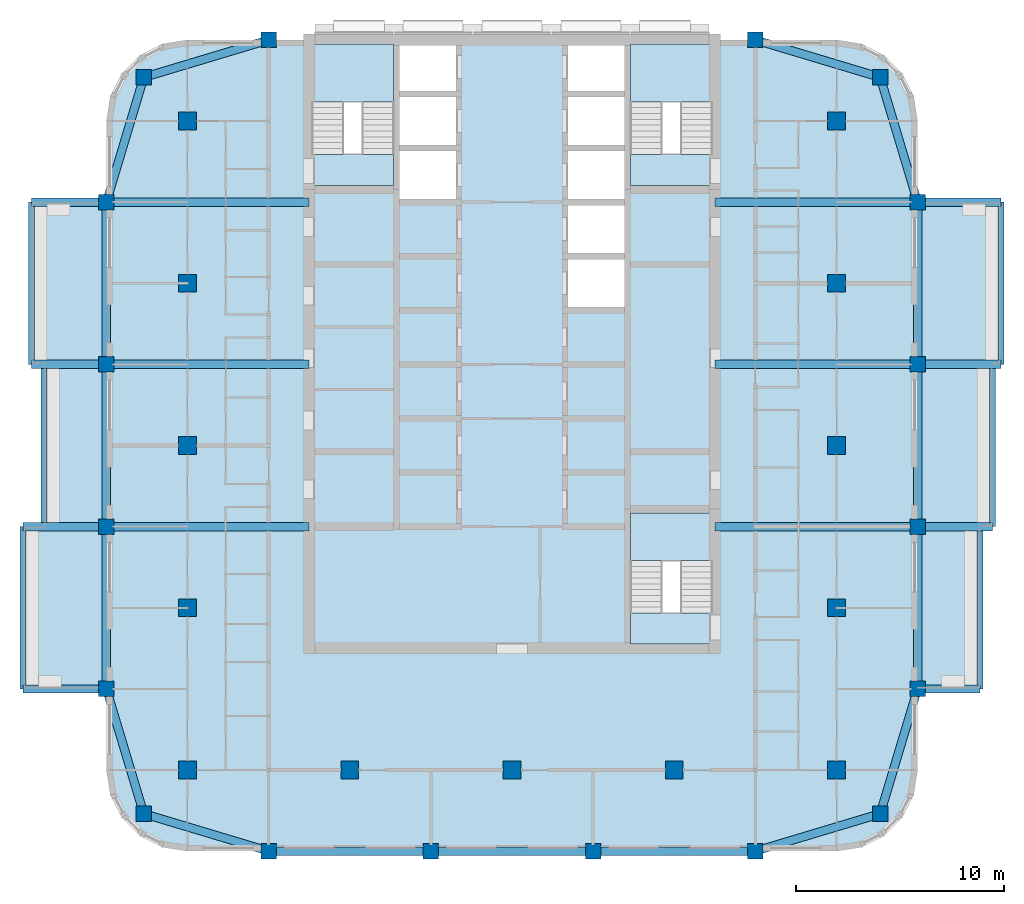
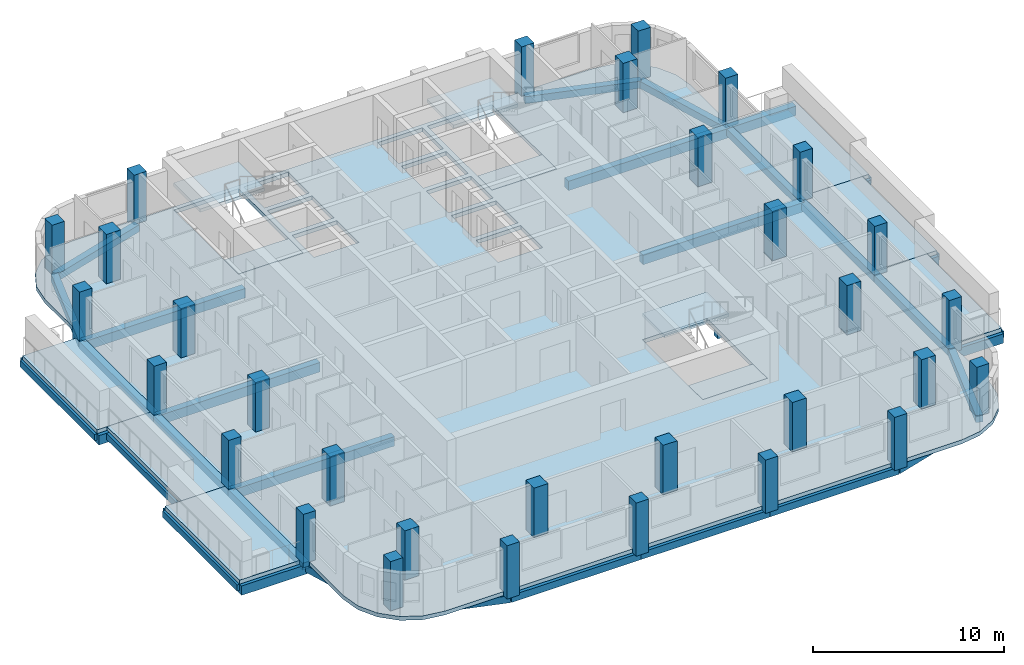
# One storey, part 1 of 13: 37 beams, 31 columns, 13 slabs, 3 elements without a shape of their own.
"""IFC4 building model written with IfcOpenShell, lengths in metres."""

from ifc_helpers import new_model, si_unit, direction, frame, origin, origin_2d, place, context, subcontext, project, spatial, polyline, rectangle, outline, extrude, material, layer, layer_set, material_profile, profile_set, type_object, element, aggregate, save


model = new_model("IFC4")

# Units and contexts
model_context = context("Model", 3, precision=1e-05, world=origin(), true_north=direction((0.0, 1.0)))
body_context = subcontext(model_context, "Body", "Model", "MODEL_VIEW")
ifc_project = project(units=[si_unit("LENGTHUNIT", "METRE"), si_unit("AREAUNIT", "SQUARE_METRE"), si_unit("VOLUMEUNIT", "CUBIC_METRE"), si_unit("PLANEANGLEUNIT", "RADIAN"), si_unit("MASSUNIT", "GRAM", prefix="KILO")], contexts=[model_context])

# Site, building, storey
site_placement = place(None, origin())
site = spatial("IfcSite", under=ifc_project, at=site_placement, CompositionType="ELEMENT")
building_placement = place(site_placement, origin())
building = spatial("IfcBuilding", under=site, at=building_placement, Name="Ludao Terraces", CompositionType="ELEMENT")
storey_placement = place(building_placement, frame((0.0, 0.0, 186.0)))
storey = spatial("IfcBuildingStorey", under=building, at=storey_placement, Name="L50", CompositionType="ELEMENT", Elevation=186.0)

# Columns
ifc_material_1 = material(Name="Concrete C45", Category="concrete")
ifc_material_profile_1 = material_profile(ifc_material_1, rectangle(XDim=0.75, YDim=0.75, at=origin_2d()), Name="750 X 750")
ifc_profile_set_1 = profile_set([ifc_material_profile_1], Name="Concrete C45")
column_type_1 = type_object("IfcColumnType", Name="RC column 750x750 C45", PredefinedType="COLUMN", material=ifc_profile_set_1)
for number, where, z_axis, x_axis, name in (
    (1, (67.300048828125, 47.300048828125, -0.25), (0.0, 0.0, 1.0), (1.0, 0.0, 0.0), "Column L50 C0057x0057"),
    (2, (102.699951171875, 47.300048828125, -0.25), (0.0, 0.0, 1.0), (1.0, 0.0, 0.0), "Column L50 C0411x0057"),
    (3, (67.300048828125, 82.699951171875, -0.25), (0.0, 0.0, 1.0), (1.0, 0.0, 0.0), "Column L50 C0057x0411"),
    (4, (102.699951171875, 82.699951171875, -0.25), (0.0, 0.0, 1.0), (1.0, 0.0, 0.0), "Column L50 C0411x0411"),
    (5, (65.5, 53.300048828125, -0.25), (0.0, 0.0, 1.0), (1.0, 0.0, 0.0), "Column L50 W0039x0117"),
    (6, (104.5, 53.300048828125, -0.25), (0.0, 0.0, 1.0), (1.0, 0.0, 0.0), "Column L50 W0429x0117"),
    (7, (73.300048828125, 45.5, -0.25), (0.0, 0.0, 1.0), (1.0, 0.0, 0.0), "Column L50 W0117x0039"),
    (8, (73.300048828125, 84.5, -0.25), (0.0, 0.0, 1.0), (1.0, 0.0, 0.0), "Column L50 W0117x0429"),
    (9, (65.5, 61.10009765625, -0.25), (0.0, 0.0, 1.0), (1.0, 0.0, 0.0), "Column L50 W0039x0195"),
    (10, (104.5, 61.10009765625, -0.25), (0.0, 0.0, 1.0), (1.0, 0.0, 0.0), "Column L50 W0429x0195"),
    (11, (81.10009765625, 45.5, -0.25), (0.0, 0.0, 1.0), (1.0, 0.0, 0.0), "Column L50 W0195x0039"),
    (12, (65.5, 68.89990234375, -0.25), (0.0, 0.0, 1.0), (1.0, 0.0, 0.0), "Column L50 W0039x0273"),
    (13, (104.5, 68.89990234375, -0.25), (0.0, 0.0, 1.0), (1.0, 0.0, 0.0), "Column L50 W0429x0273"),
    (14, (88.89990234375, 45.5, -0.25), (0.0, 0.0, 1.0), (1.0, 0.0, 0.0), "Column L50 W0273x0039"),
    (15, (65.5, 76.699951171875, -0.25), (0.0, 0.0, 1.0), (1.0, 0.0, 0.0), "Column L50 W0039x0351"),
    (16, (104.5, 76.699951171875, -0.25), (0.0, 0.0, 1.0), (1.0, 0.0, 0.0), "Column L50 W0429x0351"),
    (17, (96.699951171875, 45.5, -0.25), (0.0, 0.0, 1.0), (1.0, 0.0, 0.0), "Column L50 W0351x0039"),
    (18, (96.699951171875, 84.5, -0.25), (0.0, 0.0, 1.0), (1.0, 0.0, 0.0), "Column L50 W0351x0429"),
):
    element("IfcColumn", number, at=place(storey_placement, frame(where, z_axis=z_axis, x_axis=x_axis)), inside=storey, type_object=column_type_1, Name=name, PredefinedType="COLUMN", context=body_context, shape_type="SweptSolid", body=[
        extrude(rectangle(XDim=0.75, YDim=0.75, at=origin_2d()), origin(), (0.0, 0.0, 1.0), 3.39990234375),
    ])
ifc_material_profile_2 = material_profile(ifc_material_1, rectangle(XDim=0.85009765625, YDim=0.85009765625, at=origin_2d()), Name="850 X 850")
ifc_profile_set_2 = profile_set([ifc_material_profile_2], Name="Concrete C45")
column_type_2 = type_object("IfcColumnType", Name="RC column 850x850 C45", PredefinedType="COLUMN", material=ifc_profile_set_2)
for number, where, z_axis, x_axis, name in (
    (19, (69.39990234375, 49.39990234375, -0.25), (0.0, 0.0, 1.0), (1.0, 0.0, 0.0), "Column L50 S0078x0078"),
    (20, (69.39990234375, 57.199951171875, -0.25), (0.0, 0.0, 1.0), (1.0, 0.0, 0.0), "Column L50 S0078x0156"),
    (21, (69.39990234375, 65.0, -0.25), (0.0, 0.0, 1.0), (1.0, 0.0, 0.0), "Column L50 S0078x0234"),
    (22, (69.39990234375, 72.800048828125, -0.25), (0.0, 0.0, 1.0), (1.0, 0.0, 0.0), "Column L50 S0078x0312"),
    (23, (69.39990234375, 80.60009765625, -0.25), (0.0, 0.0, 1.0), (1.0, 0.0, 0.0), "Column L50 S0078x0390"),
    (24, (77.199951171875, 49.39990234375, -0.25), (0.0, 0.0, 1.0), (1.0, 0.0, 0.0), "Column L50 S0156x0078"),
    (25, (85.0, 49.39990234375, -0.25), (0.0, 0.0, 1.0), (1.0, 0.0, 0.0), "Column L50 S0234x0078"),
    (26, (92.800048828125, 49.39990234375, -0.25), (0.0, 0.0, 1.0), (1.0, 0.0, 0.0), "Column L50 S0312x0078"),
    (27, (100.60009765625, 49.39990234375, -0.25), (0.0, 0.0, 1.0), (1.0, 0.0, 0.0), "Column L50 S0390x0078"),
    (28, (100.60009765625, 57.199951171875, -0.25), (0.0, 0.0, 1.0), (1.0, 0.0, 0.0), "Column L50 S0390x0156"),
    (29, (100.60009765625, 65.0, -0.25), (0.0, 0.0, 1.0), (1.0, 0.0, 0.0), "Column L50 S0390x0234"),
    (30, (100.60009765625, 72.800048828125, -0.25), (0.0, 0.0, 1.0), (1.0, 0.0, 0.0), "Column L50 S0390x0312"),
    (31, (100.60009765625, 80.60009765625, -0.25), (0.0, 0.0, 1.0), (1.0, 0.0, 0.0), "Column L50 S0390x0390"),
):
    element("IfcColumn", number, at=place(storey_placement, frame(where, z_axis=z_axis, x_axis=x_axis)), inside=storey, type_object=column_type_2, Name=name, PredefinedType="COLUMN", context=body_context, shape_type="SweptSolid", body=[
        extrude(rectangle(XDim=0.85009765625, YDim=0.85009765625, at=origin_2d()), origin(), (0.0, 0.0, 1.0), 3.39990234375),
    ])

# Beams
ifc_material_2 = material(Name="Concrete C40", Category="concrete")
ifc_material_profile_3 = material_profile(ifc_material_2, rectangle(XDim=0.300048828125, YDim=0.39990234375, at=origin_2d()), Name="300 X 400")
ifc_profile_set_3 = profile_set([ifc_material_profile_3], Name="Concrete C40")
beam_type_1 = type_object("IfcBeamType", Name="RC beam 300x400 C40", PredefinedType="BEAM", material=ifc_profile_set_3)
beam_1_placement = place(storey_placement, frame((107.5, 53.300048828125, -0.449951171875), z_axis=(0.0, 1.0, 0.0), x_axis=(-1.0, 0.0, 0.0)))
element("IfcBeam", 32, at=beam_1_placement, inside=storey, type_object=beam_type_1, Name="Balcony edge beam L50 E1", PredefinedType="BEAM", context=body_context, shape_type="SweptSolid", body=[
    extrude(rectangle(XDim=0.300048828125, YDim=0.39990234375, at=origin_2d()), origin(), (0.0, 0.0, 1.0), 7.800048828125),
])
beam_2_placement = place(storey_placement, frame((108.10009765625, 61.10009765625, -0.449951171875), z_axis=(0.0, 1.0, 0.0), x_axis=(-1.0, 0.0, 0.0)))
element("IfcBeam", 33, at=beam_2_placement, inside=storey, type_object=beam_type_1, Name="Balcony edge beam L50 E2", PredefinedType="BEAM", context=body_context, shape_type="SweptSolid", body=[
    extrude(rectangle(XDim=0.300048828125, YDim=0.39990234375, at=origin_2d()), origin(), (0.0, 0.0, 1.0), 7.7998046875),
])
for number, where, z_axis, x_axis, name in (
    (34, (108.5, 68.89990234375, -0.449951171875), (0.0, 1.0, 0.0), (-1.0, 0.0, 0.0), "Balcony edge beam L50 E3"),
    (35, (61.5, 53.300048828125, -0.449951171875), (0.0, 1.0, 0.0), (-1.0, 0.0, 0.0), "Balcony edge beam L50 W1"),
):
    element("IfcBeam", number, at=place(storey_placement, frame(where, z_axis=z_axis, x_axis=x_axis)), inside=storey, type_object=beam_type_1, Name=name, PredefinedType="BEAM", context=body_context, shape_type="SweptSolid", body=[
        extrude(rectangle(XDim=0.300048828125, YDim=0.39990234375, at=origin_2d()), origin(), (0.0, 0.0, 1.0), 7.800048828125),
    ])
beam_3_placement = place(storey_placement, frame((62.5, 61.10009765625, -0.449951171875), z_axis=(0.0, 1.0, 0.0), x_axis=(-1.0, 0.0, 0.0)))
element("IfcBeam", 36, at=beam_3_placement, inside=storey, type_object=beam_type_1, Name="Balcony edge beam L50 W2", PredefinedType="BEAM", context=body_context, shape_type="SweptSolid", body=[
    extrude(rectangle(XDim=0.300048828125, YDim=0.39990234375, at=origin_2d()), origin(), (0.0, 0.0, 1.0), 7.7998046875),
])
beam_4_placement = place(storey_placement, frame((61.89990234375, 68.89990234375, -0.449951171875), z_axis=(0.0, 1.0, 0.0), x_axis=(-1.0, 0.0, 0.0)))
element("IfcBeam", 37, at=beam_4_placement, inside=storey, type_object=beam_type_1, Name="Balcony edge beam L50 W3", PredefinedType="BEAM", context=body_context, shape_type="SweptSolid", body=[
    extrude(rectangle(XDim=0.300048828125, YDim=0.39990234375, at=origin_2d()), origin(), (0.0, 0.0, 1.0), 7.800048828125),
])
ifc_material_profile_4 = material_profile(ifc_material_2, rectangle(XDim=0.39990234375, YDim=0.449951171875, at=origin_2d()), Name="400 X 450")
ifc_profile_set_4 = profile_set([ifc_material_profile_4], Name="Concrete C40")
beam_type_2 = type_object("IfcBeamType", Name="RC beam 400x450 C40", PredefinedType="BEAM", material=ifc_profile_set_4)
beam_5_placement = place(storey_placement, frame((67.300048828125, 47.300048828125, -0.47509765625), z_axis=(0.957824139839, -0.287355036744, 0.0), x_axis=(0.287355036744, 0.957824139839, 0.0)))
element("IfcBeam", 38, at=beam_5_placement, inside=storey, type_object=beam_type_2, Name="Spandrel beam L50 S1", PredefinedType="BEAM", context=body_context, shape_type="SweptSolid", body=[
    extrude(rectangle(XDim=0.39990234375, YDim=0.449951171875, at=origin_2d()), origin(), (0.0, 0.0, 1.0), 6.26416015625),
])
beam_6_placement = place(storey_placement, frame((73.300048828125, 45.5, -0.47509765625), z_axis=(1.0, 0.0, 0.0), x_axis=(0.0, 1.0, 0.0)))
element("IfcBeam", 39, at=beam_6_placement, inside=storey, type_object=beam_type_2, Name="Spandrel beam L50 S2", PredefinedType="BEAM", context=body_context, shape_type="SweptSolid", body=[
    extrude(rectangle(XDim=0.39990234375, YDim=0.449951171875, at=origin_2d()), origin(), (0.0, 0.0, 1.0), 7.800048828125),
])
beam_7_placement = place(storey_placement, frame((81.10009765625, 45.5, -0.47509765625), z_axis=(1.0, 0.0, 0.0), x_axis=(0.0, 1.0, 0.0)))
element("IfcBeam", 40, at=beam_7_placement, inside=storey, type_object=beam_type_2, Name="Spandrel beam L50 S3", PredefinedType="BEAM", context=body_context, shape_type="SweptSolid", body=[
    extrude(rectangle(XDim=0.39990234375, YDim=0.449951171875, at=origin_2d()), origin(), (0.0, 0.0, 1.0), 7.7998046875),
])
beam_8_placement = place(storey_placement, frame((88.89990234375, 45.5, -0.47509765625), z_axis=(1.0, 0.0, 0.0), x_axis=(0.0, 1.0, 0.0)))
element("IfcBeam", 41, at=beam_8_placement, inside=storey, type_object=beam_type_2, Name="Spandrel beam L50 S4", PredefinedType="BEAM", context=body_context, shape_type="SweptSolid", body=[
    extrude(rectangle(XDim=0.39990234375, YDim=0.449951171875, at=origin_2d()), origin(), (0.0, 0.0, 1.0), 7.800048828125),
])
for number, where, z_axis, x_axis, name in (
    (42, (96.699951171875, 45.5, -0.47509765625), (0.957824139839, 0.287355036744, 0.0), (-0.287355036744, 0.957824139839, 0.0), "Spandrel beam L50 S5"),
    (43, (67.300048828125, 82.699951171875, -0.47509765625), (0.957824139839, 0.287355036744, 0.0), (-0.287355036744, 0.957824139839, 0.0), "Spandrel beam L50 N6"),
    (44, (96.699951171875, 84.5, -0.47509765625), (0.957824139839, -0.287355036744, 0.0), (0.287355036744, 0.957824139839, 0.0), "Spandrel beam L50 N7"),
    (45, (67.300048828125, 47.300048828125, -0.47509765625), (-0.287355036744, 0.957824139839, 0.0), (-0.957824139839, -0.287355036744, 0.0), "Spandrel beam L50 W8"),
):
    element("IfcBeam", number, at=place(storey_placement, frame(where, z_axis=z_axis, x_axis=x_axis)), inside=storey, type_object=beam_type_2, Name=name, PredefinedType="BEAM", context=body_context, shape_type="SweptSolid", body=[
        extrude(rectangle(XDim=0.39990234375, YDim=0.449951171875, at=origin_2d()), origin(), (0.0, 0.0, 1.0), 6.26416015625),
    ])
beam_9_placement = place(storey_placement, frame((65.5, 53.300048828125, -0.47509765625), z_axis=(0.0, 1.0, 0.0), x_axis=(-1.0, 0.0, 0.0)))
element("IfcBeam", 46, at=beam_9_placement, inside=storey, type_object=beam_type_2, Name="Spandrel beam L50 W9", PredefinedType="BEAM", context=body_context, shape_type="SweptSolid", body=[
    extrude(rectangle(XDim=0.39990234375, YDim=0.449951171875, at=origin_2d()), origin(), (0.0, 0.0, 1.0), 7.800048828125),
])
beam_10_placement = place(storey_placement, frame((65.5, 61.10009765625, -0.47509765625), z_axis=(0.0, 1.0, 0.0), x_axis=(-1.0, 0.0, 0.0)))
element("IfcBeam", 47, at=beam_10_placement, inside=storey, type_object=beam_type_2, Name="Spandrel beam L50 W10", PredefinedType="BEAM", context=body_context, shape_type="SweptSolid", body=[
    extrude(rectangle(XDim=0.39990234375, YDim=0.449951171875, at=origin_2d()), origin(), (0.0, 0.0, 1.0), 7.7998046875),
])
beam_11_placement = place(storey_placement, frame((65.5, 68.89990234375, -0.47509765625), z_axis=(0.0, 1.0, 0.0), x_axis=(-1.0, 0.0, 0.0)))
element("IfcBeam", 48, at=beam_11_placement, inside=storey, type_object=beam_type_2, Name="Spandrel beam L50 W11", PredefinedType="BEAM", context=body_context, shape_type="SweptSolid", body=[
    extrude(rectangle(XDim=0.39990234375, YDim=0.449951171875, at=origin_2d()), origin(), (0.0, 0.0, 1.0), 7.800048828125),
])
for number, where, z_axis, x_axis, name in (
    (49, (65.5, 76.699951171875, -0.47509765625), (0.287355036744, 0.957824139839, 0.0), (-0.957824139839, 0.287355036744, 0.0), "Spandrel beam L50 W12"),
    (50, (102.699951171875, 47.300048828125, -0.47509765625), (0.287355036744, 0.957824139839, 0.0), (-0.957824139839, 0.287355036744, 0.0), "Spandrel beam L50 E13"),
):
    element("IfcBeam", number, at=place(storey_placement, frame(where, z_axis=z_axis, x_axis=x_axis)), inside=storey, type_object=beam_type_2, Name=name, PredefinedType="BEAM", context=body_context, shape_type="SweptSolid", body=[
        extrude(rectangle(XDim=0.39990234375, YDim=0.449951171875, at=origin_2d()), origin(), (0.0, 0.0, 1.0), 6.26416015625),
    ])
beam_12_placement = place(storey_placement, frame((104.5, 53.300048828125, -0.47509765625), z_axis=(0.0, 1.0, 0.0), x_axis=(-1.0, 0.0, 0.0)))
element("IfcBeam", 51, at=beam_12_placement, inside=storey, type_object=beam_type_2, Name="Spandrel beam L50 E14", PredefinedType="BEAM", context=body_context, shape_type="SweptSolid", body=[
    extrude(rectangle(XDim=0.39990234375, YDim=0.449951171875, at=origin_2d()), origin(), (0.0, 0.0, 1.0), 7.800048828125),
])
beam_13_placement = place(storey_placement, frame((104.5, 61.10009765625, -0.47509765625), z_axis=(0.0, 1.0, 0.0), x_axis=(-1.0, 0.0, 0.0)))
element("IfcBeam", 52, at=beam_13_placement, inside=storey, type_object=beam_type_2, Name="Spandrel beam L50 E15", PredefinedType="BEAM", context=body_context, shape_type="SweptSolid", body=[
    extrude(rectangle(XDim=0.39990234375, YDim=0.449951171875, at=origin_2d()), origin(), (0.0, 0.0, 1.0), 7.7998046875),
])
beam_14_placement = place(storey_placement, frame((104.5, 68.89990234375, -0.47509765625), z_axis=(0.0, 1.0, 0.0), x_axis=(-1.0, 0.0, 0.0)))
element("IfcBeam", 53, at=beam_14_placement, inside=storey, type_object=beam_type_2, Name="Spandrel beam L50 E16", PredefinedType="BEAM", context=body_context, shape_type="SweptSolid", body=[
    extrude(rectangle(XDim=0.39990234375, YDim=0.449951171875, at=origin_2d()), origin(), (0.0, 0.0, 1.0), 7.800048828125),
])
beam_15_placement = place(storey_placement, frame((104.5, 76.699951171875, -0.47509765625), z_axis=(-0.287355036744, 0.957824139839, 0.0), x_axis=(-0.957824139839, -0.287355036744, 0.0)))
element("IfcBeam", 54, at=beam_15_placement, inside=storey, type_object=beam_type_2, Name="Spandrel beam L50 E17", PredefinedType="BEAM", context=body_context, shape_type="SweptSolid", body=[
    extrude(rectangle(XDim=0.39990234375, YDim=0.449951171875, at=origin_2d()), origin(), (0.0, 0.0, 1.0), 6.26416015625),
])
ifc_material_profile_5 = material_profile(ifc_material_2, rectangle(XDim=0.39990234375, YDim=0.60009765625, at=origin_2d()), Name="400 X 600")
ifc_profile_set_5 = profile_set([ifc_material_profile_5], Name="Concrete C40")
beam_type_3 = type_object("IfcBeamType", Name="RC beam 400x600 C40", PredefinedType="BEAM", material=ifc_profile_set_5)
beam_16_placement = place(storey_placement, frame((104.5, 53.300048828125, -0.550048828125), z_axis=(1.0, 0.0, 0.0), x_axis=(0.0, 1.0, 0.0)))
element("IfcBeam", 55, at=beam_16_placement, inside=storey, type_object=beam_type_3, Name="Balcony beam L50 E533", PredefinedType="BEAM", context=body_context, shape_type="SweptSolid", body=[
    extrude(rectangle(XDim=0.39990234375, YDim=0.60009765625, at=origin_2d()), origin(), (0.0, 0.0, 1.0), 3.0),
])
beam_17_placement = place(storey_placement, frame((94.75, 61.10009765625, -0.550048828125), z_axis=(1.0, 0.0, 0.0), x_axis=(0.0, 1.0, 0.0)))
element("IfcBeam", 56, at=beam_17_placement, inside=storey, type_object=beam_type_3, Name="Balcony beam L50 E611", PredefinedType="BEAM", context=body_context, shape_type="SweptSolid", body=[
    extrude(rectangle(XDim=0.39990234375, YDim=0.60009765625, at=origin_2d()), origin(), (0.0, 0.0, 1.0), 9.75),
])
beam_18_placement = place(storey_placement, frame((104.5, 61.10009765625, -0.550048828125), z_axis=(1.0, 0.0, 0.0), x_axis=(0.0, 1.0, 0.0)))
element("IfcBeam", 57, at=beam_18_placement, inside=storey, type_object=beam_type_3, Name="Balcony beam L50 E611", PredefinedType="BEAM", context=body_context, shape_type="SweptSolid", body=[
    extrude(rectangle(XDim=0.39990234375, YDim=0.60009765625, at=origin_2d()), origin(), (0.0, 0.0, 1.0), 3.60009765625),
])
beam_19_placement = place(storey_placement, frame((94.75, 68.89990234375, -0.550048828125), z_axis=(1.0, 0.0, 0.0), x_axis=(0.0, 1.0, 0.0)))
element("IfcBeam", 58, at=beam_19_placement, inside=storey, type_object=beam_type_3, Name="Balcony beam L50 E689", PredefinedType="BEAM", context=body_context, shape_type="SweptSolid", body=[
    extrude(rectangle(XDim=0.39990234375, YDim=0.60009765625, at=origin_2d()), origin(), (0.0, 0.0, 1.0), 9.75),
])
beam_20_placement = place(storey_placement, frame((104.5, 68.89990234375, -0.550048828125), z_axis=(1.0, 0.0, 0.0), x_axis=(0.0, 1.0, 0.0)))
element("IfcBeam", 59, at=beam_20_placement, inside=storey, type_object=beam_type_3, Name="Balcony beam L50 E689", PredefinedType="BEAM", context=body_context, shape_type="SweptSolid", body=[
    extrude(rectangle(XDim=0.39990234375, YDim=0.60009765625, at=origin_2d()), origin(), (0.0, 0.0, 1.0), 4.0),
])
beam_21_placement = place(storey_placement, frame((94.75, 76.699951171875, -0.550048828125), z_axis=(1.0, 0.0, 0.0), x_axis=(0.0, 1.0, 0.0)))
element("IfcBeam", 60, at=beam_21_placement, inside=storey, type_object=beam_type_3, Name="Balcony beam L50 E767", PredefinedType="BEAM", context=body_context, shape_type="SweptSolid", body=[
    extrude(rectangle(XDim=0.39990234375, YDim=0.60009765625, at=origin_2d()), origin(), (0.0, 0.0, 1.0), 9.75),
])
for number, where, z_axis, x_axis, name in (
    (61, (104.5, 76.699951171875, -0.550048828125), (1.0, 0.0, 0.0), (0.0, 1.0, 0.0), "Balcony beam L50 E767"),
    (62, (65.5, 53.300048828125, -0.550048828125), (-1.0, 0.0, 0.0), (0.0, -1.0, 0.0), "Balcony beam L50 W533"),
):
    element("IfcBeam", number, at=place(storey_placement, frame(where, z_axis=z_axis, x_axis=x_axis)), inside=storey, type_object=beam_type_3, Name=name, PredefinedType="BEAM", context=body_context, shape_type="SweptSolid", body=[
        extrude(rectangle(XDim=0.39990234375, YDim=0.60009765625, at=origin_2d()), origin(), (0.0, 0.0, 1.0), 4.0),
    ])
beam_22_placement = place(storey_placement, frame((75.25, 61.10009765625, -0.550048828125), z_axis=(-1.0, 0.0, 0.0), x_axis=(0.0, -1.0, 0.0)))
element("IfcBeam", 63, at=beam_22_placement, inside=storey, type_object=beam_type_3, Name="Balcony beam L50 W611", PredefinedType="BEAM", context=body_context, shape_type="SweptSolid", body=[
    extrude(rectangle(XDim=0.39990234375, YDim=0.60009765625, at=origin_2d()), origin(), (0.0, 0.0, 1.0), 9.75),
])
beam_23_placement = place(storey_placement, frame((65.5, 61.10009765625, -0.550048828125), z_axis=(-1.0, 0.0, 0.0), x_axis=(0.0, -1.0, 0.0)))
element("IfcBeam", 64, at=beam_23_placement, inside=storey, type_object=beam_type_3, Name="Balcony beam L50 W611", PredefinedType="BEAM", context=body_context, shape_type="SweptSolid", body=[
    extrude(rectangle(XDim=0.39990234375, YDim=0.60009765625, at=origin_2d()), origin(), (0.0, 0.0, 1.0), 4.0),
])
beam_24_placement = place(storey_placement, frame((75.25, 68.89990234375, -0.550048828125), z_axis=(-1.0, 0.0, 0.0), x_axis=(0.0, -1.0, 0.0)))
element("IfcBeam", 65, at=beam_24_placement, inside=storey, type_object=beam_type_3, Name="Balcony beam L50 W689", PredefinedType="BEAM", context=body_context, shape_type="SweptSolid", body=[
    extrude(rectangle(XDim=0.39990234375, YDim=0.60009765625, at=origin_2d()), origin(), (0.0, 0.0, 1.0), 9.75),
])
beam_25_placement = place(storey_placement, frame((65.5, 68.89990234375, -0.550048828125), z_axis=(-1.0, 0.0, 0.0), x_axis=(0.0, -1.0, 0.0)))
element("IfcBeam", 66, at=beam_25_placement, inside=storey, type_object=beam_type_3, Name="Balcony beam L50 W689", PredefinedType="BEAM", context=body_context, shape_type="SweptSolid", body=[
    extrude(rectangle(XDim=0.39990234375, YDim=0.60009765625, at=origin_2d()), origin(), (0.0, 0.0, 1.0), 3.60009765625),
])
beam_26_placement = place(storey_placement, frame((75.25, 76.699951171875, -0.550048828125), z_axis=(-1.0, 0.0, 0.0), x_axis=(0.0, -1.0, 0.0)))
element("IfcBeam", 67, at=beam_26_placement, inside=storey, type_object=beam_type_3, Name="Balcony beam L50 W767", PredefinedType="BEAM", context=body_context, shape_type="SweptSolid", body=[
    extrude(rectangle(XDim=0.39990234375, YDim=0.60009765625, at=origin_2d()), origin(), (0.0, 0.0, 1.0), 9.75),
])
beam_27_placement = place(storey_placement, frame((65.5, 76.699951171875, -0.550048828125), z_axis=(-1.0, 0.0, 0.0), x_axis=(0.0, -1.0, 0.0)))
element("IfcBeam", 68, at=beam_27_placement, inside=storey, type_object=beam_type_3, Name="Balcony beam L50 W767", PredefinedType="BEAM", context=body_context, shape_type="SweptSolid", body=[
    extrude(rectangle(XDim=0.39990234375, YDim=0.60009765625, at=origin_2d()), origin(), (0.0, 0.0, 1.0), 3.60009765625),
])

# Slabs
ifc_layer_1 = layer(ifc_material_2, 0.25)
ifc_layer_set_1 = layer_set([ifc_layer_1], Name="Balcony slab 250 C40")
slab_type_1 = type_object("IfcSlabType", Name="Balcony slab 250 C40", PredefinedType="USERDEFINED", material=ifc_layer_set_1)
slab_1_placement = place(storey_placement, frame((0.0, 0.0, -0.25)))
element("IfcSlab", 69, at=slab_1_placement, inside=storey, type_object=slab_type_1, Name="Balcony L50 E1", ObjectType="BALCONY", PredefinedType="USERDEFINED", context=body_context, shape_type="SweptSolid", body=[
    extrude(outline(polyline([(104.5, 53.300048828125), (107.5, 53.300048828125), (107.5, 61.10009765625), (104.5, 61.10009765625), (104.5, 53.300048828125)])), origin(), (0.0, 0.0, 1.0), 0.25),
])
slab_2_placement = place(storey_placement, frame((0.0, 0.0, -0.25)))
element("IfcSlab", 70, at=slab_2_placement, inside=storey, type_object=slab_type_1, Name="Balcony L50 E2", ObjectType="BALCONY", PredefinedType="USERDEFINED", context=body_context, shape_type="SweptSolid", body=[
    extrude(outline(polyline([(104.5, 61.10009765625), (108.10009765625, 61.10009765625), (108.10009765625, 68.89990234375), (104.5, 68.89990234375), (104.5, 61.10009765625)])), origin(), (0.0, 0.0, 1.0), 0.25),
])
slab_3_placement = place(storey_placement, frame((0.0, 0.0, -0.25)))
element("IfcSlab", 71, at=slab_3_placement, inside=storey, type_object=slab_type_1, Name="Balcony L50 E3", ObjectType="BALCONY", PredefinedType="USERDEFINED", context=body_context, shape_type="SweptSolid", body=[
    extrude(outline(polyline([(104.5, 68.89990234375), (108.5, 68.89990234375), (108.5, 76.699951171875), (104.5, 76.699951171875), (104.5, 68.89990234375)])), origin(), (0.0, 0.0, 1.0), 0.25),
])
slab_4_placement = place(storey_placement, frame((0.0, 0.0, -0.25)))
element("IfcSlab", 72, at=slab_4_placement, inside=storey, type_object=slab_type_1, Name="Balcony L50 W1", ObjectType="BALCONY", PredefinedType="USERDEFINED", context=body_context, shape_type="SweptSolid", body=[
    extrude(outline(polyline([(61.5, 53.300048828125), (65.5, 53.300048828125), (65.5, 61.10009765625), (61.5, 61.10009765625), (61.5, 53.300048828125)])), origin(), (0.0, 0.0, 1.0), 0.25),
])
slab_5_placement = place(storey_placement, frame((0.0, 0.0, -0.25)))
element("IfcSlab", 73, at=slab_5_placement, inside=storey, type_object=slab_type_1, Name="Balcony L50 W2", ObjectType="BALCONY", PredefinedType="USERDEFINED", context=body_context, shape_type="SweptSolid", body=[
    extrude(outline(polyline([(62.5, 61.10009765625), (65.5, 61.10009765625), (65.5, 68.89990234375), (62.5, 68.89990234375), (62.5, 61.10009765625)])), origin(), (0.0, 0.0, 1.0), 0.25),
])
slab_6_placement = place(storey_placement, frame((0.0, 0.0, -0.25)))
element("IfcSlab", 74, at=slab_6_placement, inside=storey, type_object=slab_type_1, Name="Balcony L50 W3", ObjectType="BALCONY", PredefinedType="USERDEFINED", context=body_context, shape_type="SweptSolid", body=[
    extrude(outline(polyline([(61.89990234375, 68.89990234375), (65.5, 68.89990234375), (65.5, 76.699951171875), (61.89990234375, 76.699951171875), (61.89990234375, 68.89990234375)])), origin(), (0.0, 0.0, 1.0), 0.25),
])
ifc_layer_2 = layer(ifc_material_2, 0.25)
ifc_layer_set_2 = layer_set([ifc_layer_2], Name="Floor slab 250 C40")
slab_type_2 = type_object("IfcSlabType", Name="Floor slab 250 C40", PredefinedType="FLOOR", material=ifc_layer_set_2)
slab_7_placement = place(storey_placement, frame((0.0, 0.0, -0.25)))
element("IfcSlab", 75, at=slab_7_placement, inside=storey, type_object=slab_type_2, Name="Slab L50", PredefinedType="FLOOR", context=body_context, shape_type="SweptSolid", body=[
    extrude(outline(polyline([(100.60009765625, 45.5), (101.80517578125, 45.69091796875), (102.892333984375, 46.244873046875), (103.755126953125, 47.107666015625), (104.30908203125, 48.19482421875), (104.5, 49.39990234375), (104.5, 80.60009765625), (104.30908203125, 81.80517578125), (103.755126953125, 82.892333984375), (102.892333984375, 83.755126953125), (101.80517578125, 84.30908203125), (100.60009765625, 84.5), (69.39990234375, 84.5), (68.19482421875, 84.30908203125), (67.107666015625, 83.755126953125), (66.244873046875, 82.892333984375), (65.69091796875, 81.80517578125), (65.5, 80.60009765625), (65.5, 49.39990234375), (65.69091796875, 48.19482421875), (66.244873046875, 47.107666015625), (67.107666015625, 46.244873046875), (68.19482421875, 45.69091796875), (69.39990234375, 45.5), (100.60009765625, 45.5)]), holes=[polyline([(79.60009765625, 76.85009765625), (82.300048828125, 76.85009765625), (82.300048828125, 79.14990234375), (79.60009765625, 79.14990234375), (79.60009765625, 76.85009765625)]), polyline([(79.60009765625, 79.449951171875), (82.300048828125, 79.449951171875), (82.300048828125, 81.75), (79.60009765625, 81.75), (79.60009765625, 79.449951171875)]), polyline([(79.60009765625, 82.050048828125), (82.300048828125, 82.050048828125), (82.300048828125, 84.239990234375), (79.60009765625, 84.239990234375), (79.60009765625, 82.050048828125)]), polyline([(87.699951171875, 71.64990234375), (90.39990234375, 71.64990234375), (90.39990234375, 73.949951171875), (87.699951171875, 73.949951171875), (87.699951171875, 71.64990234375)]), polyline([(87.699951171875, 74.25), (90.39990234375, 74.25), (90.39990234375, 76.550048828125), (87.699951171875, 76.550048828125), (87.699951171875, 74.25)]), polyline([(87.699951171875, 76.85009765625), (90.39990234375, 76.85009765625), (90.39990234375, 79.14990234375), (87.699951171875, 79.14990234375), (87.699951171875, 76.85009765625)]), polyline([(87.699951171875, 79.449951171875), (90.39990234375, 79.449951171875), (90.39990234375, 81.75), (87.699951171875, 81.75), (87.699951171875, 79.449951171875)]), polyline([(87.699951171875, 82.050048828125), (90.39990234375, 82.050048828125), (90.39990234375, 84.239990234375), (87.699951171875, 84.239990234375), (87.699951171875, 82.050048828125)]), polyline([(75.39990234375, 77.5), (79.300048828125, 77.5), (79.300048828125, 84.239990234375), (75.39990234375, 84.239990234375), (75.39990234375, 77.5)]), polyline([(90.699951171875, 77.5), (94.60009765625, 77.5), (94.60009765625, 84.239990234375), (90.699951171875, 84.239990234375), (90.699951171875, 77.5)]), polyline([(90.699951171875, 55.449951171875), (94.60009765625, 55.449951171875), (94.60009765625, 61.75), (90.699951171875, 61.75), (90.699951171875, 55.449951171875)])]), origin(), (0.0, 0.0, 1.0), 0.25),
])

# Stair, slabs
stair_type = type_object("IfcStairType", Name="INT Stair", PredefinedType="HALF_TURN_STAIR", material=ifc_material_2)
stair_1_placement = place(storey_placement, origin())
stair_1 = element("IfcStair", 76, at=stair_1_placement, inside=storey, type_object=stair_type, Name="EXIT STAIR 1", PredefinedType="HALF_TURN_STAIR")
ifc_layer_3 = layer(ifc_material_2, 0.199951171875)
ifc_layer_set_3 = layer_set([ifc_layer_3], Name="INT Stair landing 200")
slab_type_3 = type_object("IfcSlabType", Name="INT Stair landing 200", PredefinedType="LANDING", material=ifc_layer_set_3)
slab_8_placement = place(storey_placement, frame((0.0, 0.0, 1.5)))
slab_8 = element("IfcSlab", 77, at=slab_8_placement, type_object=slab_type_3, Name="ST1 landing 1", PredefinedType="LANDING", context=body_context, shape_type="SweptSolid", body=[
    extrude(outline(polyline([(75.39990234375, 81.52001953125), (79.300048828125, 81.52001953125), (79.300048828125, 84.300048828125), (75.39990234375, 84.300048828125), (75.39990234375, 81.52001953125)])), origin(), (0.0, 0.0, 1.0), 0.199951171875),
])
slab_9_placement = place(storey_placement, frame((0.0, 0.0, -0.199951171875)))
slab_9 = element("IfcSlab", 78, at=slab_9_placement, type_object=slab_type_3, Name="ST1 landing 2", PredefinedType="LANDING", context=body_context, shape_type="SweptSolid", body=[
    extrude(outline(polyline([(75.39990234375, 77.5), (79.300048828125, 77.5), (79.300048828125, 79.0), (75.39990234375, 79.0), (75.39990234375, 77.5)])), origin(), (0.0, 0.0, 1.0), 0.199951171875),
])
aggregate(stair_1, [slab_8, slab_9])

stair_2_placement = place(storey_placement, origin())
stair_2 = element("IfcStair", 79, at=stair_2_placement, inside=storey, type_object=stair_type, Name="EXIT STAIR 2", PredefinedType="HALF_TURN_STAIR")
slab_10_placement = place(storey_placement, frame((0.0, 0.0, 1.5)))
slab_10 = element("IfcSlab", 80, at=slab_10_placement, type_object=slab_type_3, Name="ST2 landing 1", PredefinedType="LANDING", context=body_context, shape_type="SweptSolid", body=[
    extrude(outline(polyline([(90.699951171875, 81.52001953125), (94.60009765625, 81.52001953125), (94.60009765625, 84.300048828125), (90.699951171875, 84.300048828125), (90.699951171875, 81.52001953125)])), origin(), (0.0, 0.0, 1.0), 0.199951171875),
])
slab_11_placement = place(storey_placement, frame((0.0, 0.0, -0.199951171875)))
slab_11 = element("IfcSlab", 81, at=slab_11_placement, type_object=slab_type_3, Name="ST2 landing 2", PredefinedType="LANDING", context=body_context, shape_type="SweptSolid", body=[
    extrude(outline(polyline([(90.699951171875, 77.5), (94.60009765625, 77.5), (94.60009765625, 79.0), (90.699951171875, 79.0), (90.699951171875, 77.5)])), origin(), (0.0, 0.0, 1.0), 0.199951171875),
])
aggregate(stair_2, [slab_10, slab_11])

stair_3_placement = place(storey_placement, origin())
stair_3 = element("IfcStair", 82, at=stair_3_placement, inside=storey, type_object=stair_type, Name="EXIT STAIR 3", PredefinedType="HALF_TURN_STAIR")
slab_12_placement = place(storey_placement, frame((0.0, 0.0, 1.5)))
slab_12 = element("IfcSlab", 83, at=slab_12_placement, type_object=slab_type_3, Name="ST3 landing 1", PredefinedType="LANDING", context=body_context, shape_type="SweptSolid", body=[
    extrude(outline(polyline([(90.699951171875, 59.469970703125), (94.60009765625, 59.469970703125), (94.60009765625, 61.75), (90.699951171875, 61.75), (90.699951171875, 59.469970703125)])), origin(), (0.0, 0.0, 1.0), 0.199951171875),
])
slab_13_placement = place(storey_placement, frame((0.0, 0.0, -0.199951171875)))
slab_13 = element("IfcSlab", 84, at=slab_13_placement, type_object=slab_type_3, Name="ST3 landing 2", PredefinedType="LANDING", context=body_context, shape_type="SweptSolid", body=[
    extrude(outline(polyline([(90.699951171875, 55.449951171875), (94.60009765625, 55.449951171875), (94.60009765625, 56.949951171875), (90.699951171875, 56.949951171875), (90.699951171875, 55.449951171875)])), origin(), (0.0, 0.0, 1.0), 0.199951171875),
])
aggregate(stair_3, [slab_12, slab_13])

save(model, "model.ifc")
